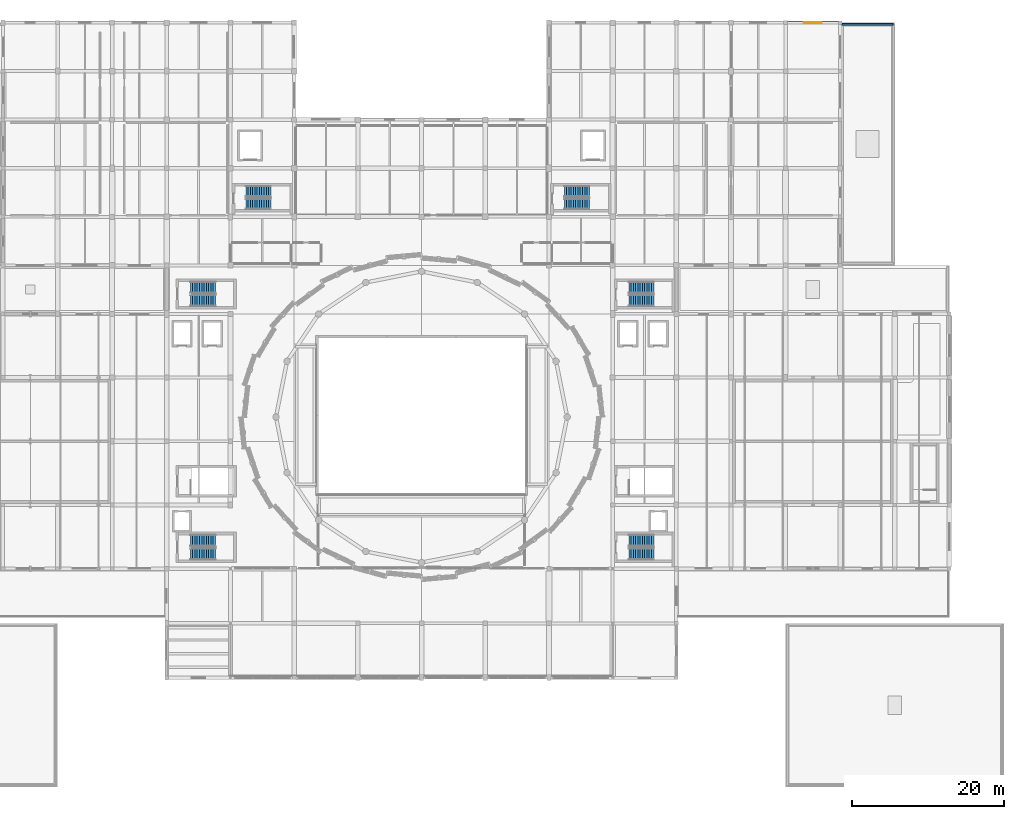
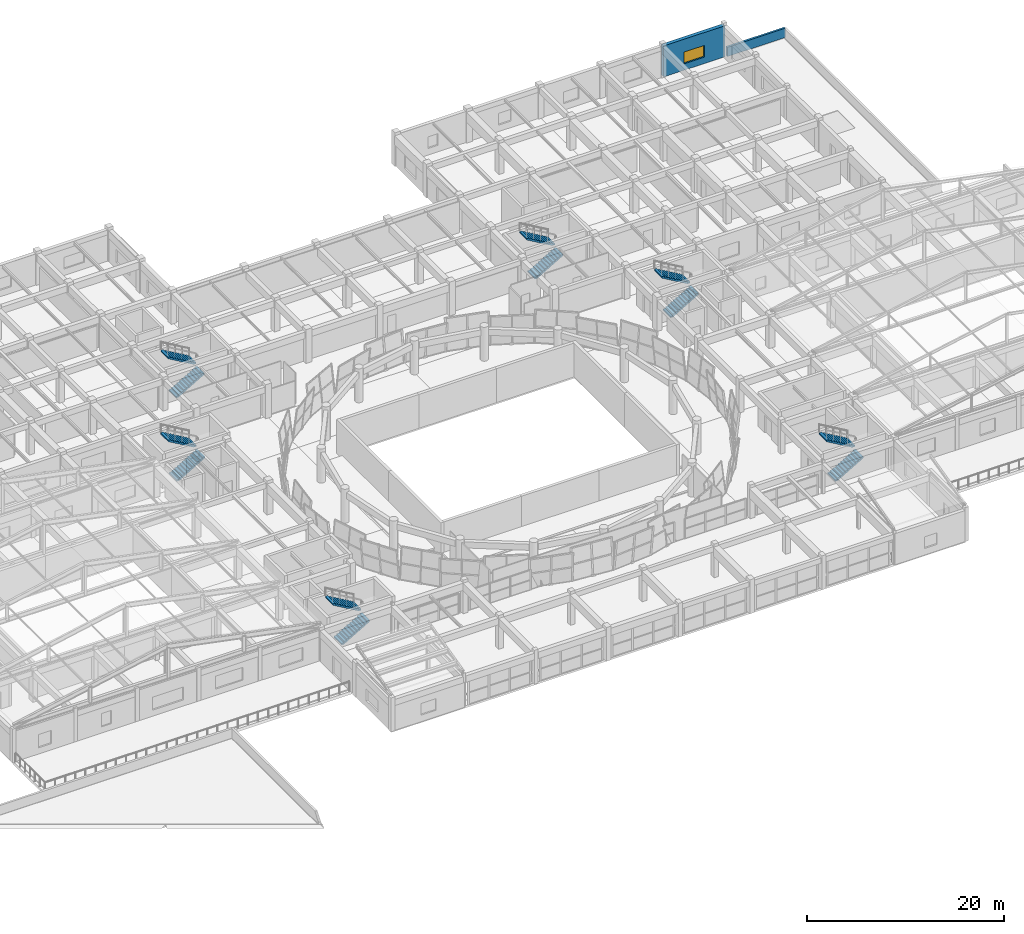
# One storey, part 63 of 74: 12 stair flights, 2 walls, 1 window, 1 opening, 6 elements without a shape of their own.
"""IFC4 building model written with IfcOpenShell, lengths in metres."""

from ifc_helpers import new_model, si_unit, direction, frame, frame_2d, origin, place, context, subcontext, project, spatial, polyline, rectangle, outline, extrude, material, layer, layer_set, type_object, element, fill, aggregate, save


model = new_model("IFC4")

# Units and contexts
model_context = context("Model", 3, precision=1e-05, world=origin(), true_north=direction((0.0, 1.0)))
body_context = subcontext(model_context, "Body", "Model", "MODEL_VIEW")
ifc_project = project(units=[si_unit("LENGTHUNIT", "METRE"), si_unit("AREAUNIT", "SQUARE_METRE"), si_unit("VOLUMEUNIT", "CUBIC_METRE"), si_unit("PLANEANGLEUNIT", "RADIAN"), si_unit("MASSUNIT", "GRAM", prefix="KILO")], contexts=[model_context])

# Site, building, storey
site_placement = place(None, origin())
site = spatial("IfcSite", under=ifc_project, at=site_placement, CompositionType="ELEMENT")
building_placement = place(site_placement, origin())
building = spatial("IfcBuilding", under=site, at=building_placement, Name="Korsvaeld Concert Hall", CompositionType="ELEMENT")
storey_placement = place(building_placement, frame((0.0, 0.0, 9.0)))
storey = spatial("IfcBuildingStorey", under=building, at=storey_placement, Name="L02", CompositionType="ELEMENT", Elevation=9.0)

# Wall, opening, window
ifc_material_1 = material(Name="Bornholm Nexo rose-red sandstone rainscreen on Concrete C35/45", Category="masonry")
ifc_layer_1 = layer(ifc_material_1, 0.419921875)
ifc_layer_set_1 = layer_set([ifc_layer_1], Name="Bornholm Nexo rose-red sandstone rainscreen on Concrete C35/45")
wall_type_1 = type_object("IfcWallType", Name="WL-EXT-NEXO-420", PredefinedType="STANDARD", material=ifc_layer_set_1)
wall_1_placement = place(storey_placement, frame((132.0, 115.199951171875, 0.0), z_axis=(0.0, 0.0, 1.0), x_axis=(1.0, 0.0, 0.0)))
wall_1 = element("IfcWall", 1, at=wall_1_placement, inside=storey, type_object=wall_type_1, Name="Exterior sandstone wall L02-255", PredefinedType="STANDARD", context=body_context, shape_type="SweptSolid", body=[
    extrude(rectangle(XDim=7.199951171875, YDim=0.419921875, at=frame_2d((3.60009765625, 0.0))), origin(), (0.0, 0.0, 1.0), 3.840087890625),
])
opening_placement = place(wall_1_placement, frame((2.39990234375, 0.0, 0.800048828125)))
opening = element("IfcOpeningElement", 2, at=opening_placement, cuts=wall_1, Name="Opening WN-10", PredefinedType="OPENING", context=body_context, shape_type="SweptSolid", body=[
    extrude(rectangle(XDim=2.39990234375, YDim=1.449951171875, at=frame_2d((1.199951171875, 0.72509765625))), frame((0.0, 0.219970703125, 0.0), z_axis=(0.0, -1.0, 0.0), x_axis=(1.0, 0.0, 0.0)), (0.0, 0.0, 1.0), 0.43994140625),
])
ifc_material_2 = material(Name="Anodised bronze frame with acoustic triple glazing", Category="glass")
window_type = type_object("IfcWindowType", Name="WIN-AC-240x145", PartitioningType="TRIPLE_PANEL_VERTICAL", PredefinedType="WINDOW", material=ifc_material_2)
window_placement = place(opening_placement, origin())
window = element("IfcWindow", 3, at=window_placement, inside=storey, type_object=window_type, Name="Acoustic triple-glazed window L02-159", OverallHeight=1.449951171875, OverallWidth=2.39990234375, PartitioningType="TRIPLE_PANEL_VERTICAL", PredefinedType="WINDOW", context=body_context, shape_type="SweptSolid", body=[
    extrude(rectangle(XDim=2.39990234375, YDim=1.449951171875, at=frame_2d((1.199951171875, 0.72509765625))), frame((0.0, 0.030029296875, 0.0), z_axis=(0.0, -1.0, 0.0), x_axis=(1.0, 0.0, 0.0)), (0.0, 0.0, 1.0), 0.06005859375),
])
fill(opening, window)

# Wall
ifc_material_3 = material(Name="Bornholm Nexo sandstone parapet on Concrete C35/45", Category="masonry")
ifc_layer_2 = layer(ifc_material_3, 0.239990234375)
ifc_layer_set_2 = layer_set([ifc_layer_2], Name="Bornholm Nexo sandstone parapet on Concrete C35/45")
wall_type_2 = type_object("IfcWallType", Name="WL-PARAPET-240", PredefinedType="PARAPET", material=ifc_layer_set_2)
wall_2_placement = place(storey_placement, frame((146.199951171875, 115.0, 0.0), z_axis=(0.0, 0.0, 1.0), x_axis=(-1.0, 0.0, 0.0)))
element("IfcWall", 4, at=wall_2_placement, inside=storey, type_object=wall_type_2, Name="Roof parapet SLB-ROOF_L02_NE-3", PredefinedType="PARAPET", context=body_context, shape_type="SweptSolid", body=[
    extrude(rectangle(XDim=6.800048828125, YDim=0.239990234375, at=frame_2d((3.39990234375, 0.0))), origin(), (0.0, 0.0, 1.0), 1.14990234375),
])

# Stair, stair flights
ifc_material_4 = material(Name="Precast concrete C40/50", Category="concrete")
stair_type_1 = type_object("IfcStairType", Name="STR-HT-145-42", PredefinedType="HALF_TURN_STAIR", material=ifc_material_4)
stair_1_placement = place(storey_placement, origin())
stair_1 = element("IfcStair", 5, at=stair_1_placement, inside=storey, type_object=stair_type_1, Name="L02 ST-K5", PredefinedType="HALF_TURN_STAIR")
stair_flight_type_1 = type_object("IfcStairFlightType", Name="STF-STR-145-42", PredefinedType="STRAIGHT", material=ifc_material_4)
stair_flight_1_placement = place(storey_placement, frame((60.820068359375, 91.294921875, 0.0), z_axis=(0.0, 0.0, 1.0), x_axis=(1.0, 0.0, 0.0)))
stair_flight_1 = element("IfcStairFlight", 6, at=stair_flight_1_placement, type_object=stair_flight_type_1, Name="ST-K5 flight 1", NumberOfRisers=12, NumberOfTreads=11, PredefinedType="STRAIGHT", RiserHeight=0.175, TreadLength=0.3, context=body_context, shape_type="SweptSolid", body=[
    extrude(outline(polyline([(0.0, 0.0), (0.0, 0.175048828125), (0.300048828125, 0.175048828125), (0.300048828125, 0.35009765625), (0.60009765625, 0.35009765625), (0.60009765625, 0.52490234375), (0.89990234375, 0.52490234375), (0.89990234375, 0.699951171875), (1.199951171875, 0.699951171875), (1.199951171875, 0.875), (1.5, 0.875), (1.5, 1.050048828125), (1.800048828125, 1.050048828125), (1.800048828125, 1.22509765625), (2.10009765625, 1.22509765625), (2.10009765625, 1.39990234375), (2.39990234375, 1.39990234375), (2.39990234375, 1.574951171875), (2.699951171875, 1.574951171875), (2.699951171875, 1.75), (3.0, 1.75), (3.0, 1.925048828125), (3.300048828125, 1.925048828125), (3.300048828125, 2.10009765625), (3.300048828125, 1.75146484375), (0.297607421875, 0.0), (0.0, 0.0)])), frame((0.0, 0.72509765625, 0.0), z_axis=(0.0, -1.0, 0.0), x_axis=(1.0, 0.0, 0.0)), (0.0, 0.0, 1.0), 1.449951171875),
])
stair_flight_2_placement = place(storey_placement, frame((64.1201171875, 92.945068359375, 2.10009765625), z_axis=(0.0, 0.0, 1.0), x_axis=(-1.0, 0.0, 0.0)))
stair_flight_2 = element("IfcStairFlight", 7, at=stair_flight_2_placement, type_object=stair_flight_type_1, Name="ST-K5 flight 2", NumberOfRisers=12, NumberOfTreads=11, PredefinedType="STRAIGHT", RiserHeight=0.175, TreadLength=0.3, context=body_context, shape_type="SweptSolid", body=[
    extrude(outline(polyline([(0.0, 0.0), (0.0, 0.175048828125), (0.300048828125, 0.175048828125), (0.300048828125, 0.35009765625), (0.60009765625, 0.35009765625), (0.60009765625, 0.52490234375), (0.89990234375, 0.52490234375), (0.89990234375, 0.699951171875), (1.199951171875, 0.699951171875), (1.199951171875, 0.875), (1.5, 0.875), (1.5, 1.050048828125), (1.800048828125, 1.050048828125), (1.800048828125, 1.22509765625), (2.10009765625, 1.22509765625), (2.10009765625, 1.39990234375), (2.39990234375, 1.39990234375), (2.39990234375, 1.574951171875), (2.699951171875, 1.574951171875), (2.699951171875, 1.75), (3.0, 1.75), (3.0, 1.925048828125), (3.300048828125, 1.925048828125), (3.300048828125, 2.10009765625), (3.300048828125, 1.75146484375), (0.297607421875, 0.0), (0.0, 0.0)])), frame((0.0, 0.72509765625, 0.0), z_axis=(0.0, -1.0, 0.0), x_axis=(1.0, 0.0, 0.0)), (0.0, 0.0, 1.0), 1.449951171875),
])
aggregate(stair_1, [stair_flight_1, stair_flight_2])

stair_2_placement = place(storey_placement, origin())
stair_2 = element("IfcStair", 8, at=stair_2_placement, inside=storey, type_object=stair_type_1, Name="L02 ST-K6", PredefinedType="HALF_TURN_STAIR")
stair_flight_3_placement = place(storey_placement, frame((102.820068359375, 91.294921875, 0.0), z_axis=(0.0, 0.0, 1.0), x_axis=(1.0, 0.0, 0.0)))
stair_flight_3 = element("IfcStairFlight", 9, at=stair_flight_3_placement, type_object=stair_flight_type_1, Name="ST-K6 flight 1", NumberOfRisers=12, NumberOfTreads=11, PredefinedType="STRAIGHT", RiserHeight=0.175, TreadLength=0.3, context=body_context, shape_type="SweptSolid", body=[
    extrude(outline(polyline([(0.0, 0.0), (0.0, 0.175048828125), (0.300048828125, 0.175048828125), (0.300048828125, 0.35009765625), (0.60009765625, 0.35009765625), (0.60009765625, 0.52490234375), (0.89990234375, 0.52490234375), (0.89990234375, 0.699951171875), (1.199951171875, 0.699951171875), (1.199951171875, 0.875), (1.5, 0.875), (1.5, 1.050048828125), (1.800048828125, 1.050048828125), (1.800048828125, 1.22509765625), (2.10009765625, 1.22509765625), (2.10009765625, 1.39990234375), (2.39990234375, 1.39990234375), (2.39990234375, 1.574951171875), (2.699951171875, 1.574951171875), (2.699951171875, 1.75), (3.0, 1.75), (3.0, 1.925048828125), (3.300048828125, 1.925048828125), (3.300048828125, 2.10009765625), (3.300048828125, 1.75146484375), (0.297607421875, 0.0), (0.0, 0.0)])), frame((0.0, 0.72509765625, 0.0), z_axis=(0.0, -1.0, 0.0), x_axis=(1.0, 0.0, 0.0)), (0.0, 0.0, 1.0), 1.449951171875),
])
stair_flight_4_placement = place(storey_placement, frame((106.1201171875, 92.945068359375, 2.10009765625), z_axis=(0.0, 0.0, 1.0), x_axis=(-1.0, 0.0, 0.0)))
stair_flight_4 = element("IfcStairFlight", 10, at=stair_flight_4_placement, type_object=stair_flight_type_1, Name="ST-K6 flight 2", NumberOfRisers=12, NumberOfTreads=11, PredefinedType="STRAIGHT", RiserHeight=0.175, TreadLength=0.3, context=body_context, shape_type="SweptSolid", body=[
    extrude(outline(polyline([(0.0, 0.0), (0.0, 0.175048828125), (0.300048828125, 0.175048828125), (0.300048828125, 0.35009765625), (0.60009765625, 0.35009765625), (0.60009765625, 0.52490234375), (0.89990234375, 0.52490234375), (0.89990234375, 0.699951171875), (1.199951171875, 0.699951171875), (1.199951171875, 0.875), (1.5, 0.875), (1.5, 1.050048828125), (1.800048828125, 1.050048828125), (1.800048828125, 1.22509765625), (2.10009765625, 1.22509765625), (2.10009765625, 1.39990234375), (2.39990234375, 1.39990234375), (2.39990234375, 1.574951171875), (2.699951171875, 1.574951171875), (2.699951171875, 1.75), (3.0, 1.75), (3.0, 1.925048828125), (3.300048828125, 1.925048828125), (3.300048828125, 2.10009765625), (3.300048828125, 1.75146484375), (0.297607421875, 0.0), (0.0, 0.0)])), frame((0.0, 0.72509765625, 0.0), z_axis=(0.0, -1.0, 0.0), x_axis=(1.0, 0.0, 0.0)), (0.0, 0.0, 1.0), 1.449951171875),
])
aggregate(stair_2, [stair_flight_3, stair_flight_4])

stair_type_2 = type_object("IfcStairType", Name="STR-HT-155-42", PredefinedType="HALF_TURN_STAIR", material=ifc_material_4)
stair_3_placement = place(storey_placement, origin())
stair_3 = element("IfcStair", 11, at=stair_3_placement, inside=storey, type_object=stair_type_2, Name="L02 ST-K1", PredefinedType="HALF_TURN_STAIR")
stair_flight_type_2 = type_object("IfcStairFlightType", Name="STF-STR-155-42", PredefinedType="STRAIGHT", material=ifc_material_4)
stair_flight_5_placement = place(storey_placement, frame((53.52001953125, 78.544921875, 0.0), z_axis=(0.0, 0.0, 1.0), x_axis=(1.0, 0.0, 0.0)))
stair_flight_5 = element("IfcStairFlight", 12, at=stair_flight_5_placement, type_object=stair_flight_type_2, Name="ST-K1 flight 1", NumberOfRisers=12, NumberOfTreads=11, PredefinedType="STRAIGHT", RiserHeight=0.175, TreadLength=0.3, context=body_context, shape_type="SweptSolid", body=[
    extrude(outline(polyline([(0.0, 0.0), (0.0, 0.175048828125), (0.300048828125, 0.175048828125), (0.300048828125, 0.35009765625), (0.60009765625, 0.35009765625), (0.60009765625, 0.52490234375), (0.89990234375, 0.52490234375), (0.89990234375, 0.699951171875), (1.199951171875, 0.699951171875), (1.199951171875, 0.875), (1.5, 0.875), (1.5, 1.050048828125), (1.800048828125, 1.050048828125), (1.800048828125, 1.22509765625), (2.10009765625, 1.22509765625), (2.10009765625, 1.39990234375), (2.39990234375, 1.39990234375), (2.39990234375, 1.574951171875), (2.699951171875, 1.574951171875), (2.699951171875, 1.75), (3.0, 1.75), (3.0, 1.925048828125), (3.300048828125, 1.925048828125), (3.300048828125, 2.10009765625), (3.300048828125, 1.75146484375), (0.297607421875, 0.0), (0.0, 0.0)])), frame((0.0, 0.77490234375, 0.0), z_axis=(0.0, -1.0, 0.0), x_axis=(1.0, 0.0, 0.0)), (0.0, 0.0, 1.0), 1.550048828125),
])
stair_flight_6_placement = place(storey_placement, frame((56.820068359375, 80.294921875, 2.10009765625), z_axis=(0.0, 0.0, 1.0), x_axis=(-1.0, 0.0, 0.0)))
stair_flight_6 = element("IfcStairFlight", 13, at=stair_flight_6_placement, type_object=stair_flight_type_2, Name="ST-K1 flight 2", NumberOfRisers=12, NumberOfTreads=11, PredefinedType="STRAIGHT", RiserHeight=0.175, TreadLength=0.3, context=body_context, shape_type="SweptSolid", body=[
    extrude(outline(polyline([(0.0, 0.0), (0.0, 0.175048828125), (0.300048828125, 0.175048828125), (0.300048828125, 0.35009765625), (0.60009765625, 0.35009765625), (0.60009765625, 0.52490234375), (0.89990234375, 0.52490234375), (0.89990234375, 0.699951171875), (1.199951171875, 0.699951171875), (1.199951171875, 0.875), (1.5, 0.875), (1.5, 1.050048828125), (1.800048828125, 1.050048828125), (1.800048828125, 1.22509765625), (2.10009765625, 1.22509765625), (2.10009765625, 1.39990234375), (2.39990234375, 1.39990234375), (2.39990234375, 1.574951171875), (2.699951171875, 1.574951171875), (2.699951171875, 1.75), (3.0, 1.75), (3.0, 1.925048828125), (3.300048828125, 1.925048828125), (3.300048828125, 2.10009765625), (3.300048828125, 1.75146484375), (0.297607421875, 0.0), (0.0, 0.0)])), frame((0.0, 0.77490234375, 0.0), z_axis=(0.0, -1.0, 0.0), x_axis=(1.0, 0.0, 0.0)), (0.0, 0.0, 1.0), 1.550048828125),
])
aggregate(stair_3, [stair_flight_5, stair_flight_6])

stair_4_placement = place(storey_placement, origin())
stair_4 = element("IfcStair", 14, at=stair_4_placement, inside=storey, type_object=stair_type_2, Name="L02 ST-K2", PredefinedType="HALF_TURN_STAIR")
stair_flight_7_placement = place(storey_placement, frame((111.320068359375, 78.544921875, 0.0), z_axis=(0.0, 0.0, 1.0), x_axis=(1.0, 0.0, 0.0)))
stair_flight_7 = element("IfcStairFlight", 15, at=stair_flight_7_placement, type_object=stair_flight_type_2, Name="ST-K2 flight 1", NumberOfRisers=12, NumberOfTreads=11, PredefinedType="STRAIGHT", RiserHeight=0.175, TreadLength=0.3, context=body_context, shape_type="SweptSolid", body=[
    extrude(outline(polyline([(0.0, 0.0), (0.0, 0.175048828125), (0.300048828125, 0.175048828125), (0.300048828125, 0.35009765625), (0.60009765625, 0.35009765625), (0.60009765625, 0.52490234375), (0.89990234375, 0.52490234375), (0.89990234375, 0.699951171875), (1.199951171875, 0.699951171875), (1.199951171875, 0.875), (1.5, 0.875), (1.5, 1.050048828125), (1.800048828125, 1.050048828125), (1.800048828125, 1.22509765625), (2.10009765625, 1.22509765625), (2.10009765625, 1.39990234375), (2.39990234375, 1.39990234375), (2.39990234375, 1.574951171875), (2.699951171875, 1.574951171875), (2.699951171875, 1.75), (3.0, 1.75), (3.0, 1.925048828125), (3.300048828125, 1.925048828125), (3.300048828125, 2.10009765625), (3.300048828125, 1.75146484375), (0.297607421875, 0.0), (0.0, 0.0)])), frame((0.0, 0.77490234375, 0.0), z_axis=(0.0, -1.0, 0.0), x_axis=(1.0, 0.0, 0.0)), (0.0, 0.0, 1.0), 1.550048828125),
])
stair_flight_8_placement = place(storey_placement, frame((114.6201171875, 80.294921875, 2.10009765625), z_axis=(0.0, 0.0, 1.0), x_axis=(-1.0, 0.0, 0.0)))
stair_flight_8 = element("IfcStairFlight", 16, at=stair_flight_8_placement, type_object=stair_flight_type_2, Name="ST-K2 flight 2", NumberOfRisers=12, NumberOfTreads=11, PredefinedType="STRAIGHT", RiserHeight=0.175, TreadLength=0.3, context=body_context, shape_type="SweptSolid", body=[
    extrude(outline(polyline([(0.0, 0.0), (0.0, 0.175048828125), (0.300048828125, 0.175048828125), (0.300048828125, 0.35009765625), (0.60009765625, 0.35009765625), (0.60009765625, 0.52490234375), (0.89990234375, 0.52490234375), (0.89990234375, 0.699951171875), (1.199951171875, 0.699951171875), (1.199951171875, 0.875), (1.5, 0.875), (1.5, 1.050048828125), (1.800048828125, 1.050048828125), (1.800048828125, 1.22509765625), (2.10009765625, 1.22509765625), (2.10009765625, 1.39990234375), (2.39990234375, 1.39990234375), (2.39990234375, 1.574951171875), (2.699951171875, 1.574951171875), (2.699951171875, 1.75), (3.0, 1.75), (3.0, 1.925048828125), (3.300048828125, 1.925048828125), (3.300048828125, 2.10009765625), (3.300048828125, 1.75146484375), (0.297607421875, 0.0), (0.0, 0.0)])), frame((0.0, 0.77490234375, 0.0), z_axis=(0.0, -1.0, 0.0), x_axis=(1.0, 0.0, 0.0)), (0.0, 0.0, 1.0), 1.550048828125),
])
aggregate(stair_4, [stair_flight_7, stair_flight_8])

stair_5_placement = place(storey_placement, origin())
stair_5 = element("IfcStair", 17, at=stair_5_placement, inside=storey, type_object=stair_type_2, Name="L02 ST-K3", PredefinedType="HALF_TURN_STAIR")
stair_flight_9_placement = place(storey_placement, frame((53.52001953125, 45.14501953125, 0.0), z_axis=(0.0, 0.0, 1.0), x_axis=(1.0, 0.0, 0.0)))
stair_flight_9 = element("IfcStairFlight", 18, at=stair_flight_9_placement, type_object=stair_flight_type_2, Name="ST-K3 flight 1", NumberOfRisers=12, NumberOfTreads=11, PredefinedType="STRAIGHT", RiserHeight=0.175, TreadLength=0.3, context=body_context, shape_type="SweptSolid", body=[
    extrude(outline(polyline([(0.0, 0.0), (0.0, 0.175048828125), (0.300048828125, 0.175048828125), (0.300048828125, 0.35009765625), (0.60009765625, 0.35009765625), (0.60009765625, 0.52490234375), (0.89990234375, 0.52490234375), (0.89990234375, 0.699951171875), (1.199951171875, 0.699951171875), (1.199951171875, 0.875), (1.5, 0.875), (1.5, 1.050048828125), (1.800048828125, 1.050048828125), (1.800048828125, 1.22509765625), (2.10009765625, 1.22509765625), (2.10009765625, 1.39990234375), (2.39990234375, 1.39990234375), (2.39990234375, 1.574951171875), (2.699951171875, 1.574951171875), (2.699951171875, 1.75), (3.0, 1.75), (3.0, 1.925048828125), (3.300048828125, 1.925048828125), (3.300048828125, 2.10009765625), (3.300048828125, 1.75146484375), (0.297607421875, 0.0), (0.0, 0.0)])), frame((0.0, 0.77490234375, 0.0), z_axis=(0.0, -1.0, 0.0), x_axis=(1.0, 0.0, 0.0)), (0.0, 0.0, 1.0), 1.550048828125),
])
stair_flight_10_placement = place(storey_placement, frame((56.820068359375, 46.89501953125, 2.10009765625), z_axis=(0.0, 0.0, 1.0), x_axis=(-1.0, 0.0, 0.0)))
stair_flight_10 = element("IfcStairFlight", 19, at=stair_flight_10_placement, type_object=stair_flight_type_2, Name="ST-K3 flight 2", NumberOfRisers=12, NumberOfTreads=11, PredefinedType="STRAIGHT", RiserHeight=0.175, TreadLength=0.3, context=body_context, shape_type="SweptSolid", body=[
    extrude(outline(polyline([(0.0, 0.0), (0.0, 0.175048828125), (0.300048828125, 0.175048828125), (0.300048828125, 0.35009765625), (0.60009765625, 0.35009765625), (0.60009765625, 0.52490234375), (0.89990234375, 0.52490234375), (0.89990234375, 0.699951171875), (1.199951171875, 0.699951171875), (1.199951171875, 0.875), (1.5, 0.875), (1.5, 1.050048828125), (1.800048828125, 1.050048828125), (1.800048828125, 1.22509765625), (2.10009765625, 1.22509765625), (2.10009765625, 1.39990234375), (2.39990234375, 1.39990234375), (2.39990234375, 1.574951171875), (2.699951171875, 1.574951171875), (2.699951171875, 1.75), (3.0, 1.75), (3.0, 1.925048828125), (3.300048828125, 1.925048828125), (3.300048828125, 2.10009765625), (3.300048828125, 1.75146484375), (0.297607421875, 0.0), (0.0, 0.0)])), frame((0.0, 0.77490234375, 0.0), z_axis=(0.0, -1.0, 0.0), x_axis=(1.0, 0.0, 0.0)), (0.0, 0.0, 1.0), 1.550048828125),
])
aggregate(stair_5, [stair_flight_9, stair_flight_10])

stair_6_placement = place(storey_placement, origin())
stair_6 = element("IfcStair", 20, at=stair_6_placement, inside=storey, type_object=stair_type_2, Name="L02 ST-K4", PredefinedType="HALF_TURN_STAIR")
stair_flight_11_placement = place(storey_placement, frame((111.320068359375, 45.14501953125, 0.0), z_axis=(0.0, 0.0, 1.0), x_axis=(1.0, 0.0, 0.0)))
stair_flight_11 = element("IfcStairFlight", 21, at=stair_flight_11_placement, type_object=stair_flight_type_2, Name="ST-K4 flight 1", NumberOfRisers=12, NumberOfTreads=11, PredefinedType="STRAIGHT", RiserHeight=0.175, TreadLength=0.3, context=body_context, shape_type="SweptSolid", body=[
    extrude(outline(polyline([(0.0, 0.0), (0.0, 0.175048828125), (0.300048828125, 0.175048828125), (0.300048828125, 0.35009765625), (0.60009765625, 0.35009765625), (0.60009765625, 0.52490234375), (0.89990234375, 0.52490234375), (0.89990234375, 0.699951171875), (1.199951171875, 0.699951171875), (1.199951171875, 0.875), (1.5, 0.875), (1.5, 1.050048828125), (1.800048828125, 1.050048828125), (1.800048828125, 1.22509765625), (2.10009765625, 1.22509765625), (2.10009765625, 1.39990234375), (2.39990234375, 1.39990234375), (2.39990234375, 1.574951171875), (2.699951171875, 1.574951171875), (2.699951171875, 1.75), (3.0, 1.75), (3.0, 1.925048828125), (3.300048828125, 1.925048828125), (3.300048828125, 2.10009765625), (3.300048828125, 1.75146484375), (0.297607421875, 0.0), (0.0, 0.0)])), frame((0.0, 0.77490234375, 0.0), z_axis=(0.0, -1.0, 0.0), x_axis=(1.0, 0.0, 0.0)), (0.0, 0.0, 1.0), 1.550048828125),
])
stair_flight_12_placement = place(storey_placement, frame((114.6201171875, 46.89501953125, 2.10009765625), z_axis=(0.0, 0.0, 1.0), x_axis=(-1.0, 0.0, 0.0)))
stair_flight_12 = element("IfcStairFlight", 22, at=stair_flight_12_placement, type_object=stair_flight_type_2, Name="ST-K4 flight 2", NumberOfRisers=12, NumberOfTreads=11, PredefinedType="STRAIGHT", RiserHeight=0.175, TreadLength=0.3, context=body_context, shape_type="SweptSolid", body=[
    extrude(outline(polyline([(0.0, 0.0), (0.0, 0.175048828125), (0.300048828125, 0.175048828125), (0.300048828125, 0.35009765625), (0.60009765625, 0.35009765625), (0.60009765625, 0.52490234375), (0.89990234375, 0.52490234375), (0.89990234375, 0.699951171875), (1.199951171875, 0.699951171875), (1.199951171875, 0.875), (1.5, 0.875), (1.5, 1.050048828125), (1.800048828125, 1.050048828125), (1.800048828125, 1.22509765625), (2.10009765625, 1.22509765625), (2.10009765625, 1.39990234375), (2.39990234375, 1.39990234375), (2.39990234375, 1.574951171875), (2.699951171875, 1.574951171875), (2.699951171875, 1.75), (3.0, 1.75), (3.0, 1.925048828125), (3.300048828125, 1.925048828125), (3.300048828125, 2.10009765625), (3.300048828125, 1.75146484375), (0.297607421875, 0.0), (0.0, 0.0)])), frame((0.0, 0.77490234375, 0.0), z_axis=(0.0, -1.0, 0.0), x_axis=(1.0, 0.0, 0.0)), (0.0, 0.0, 1.0), 1.550048828125),
])
aggregate(stair_6, [stair_flight_11, stair_flight_12])

save(model, "model.ifc")
